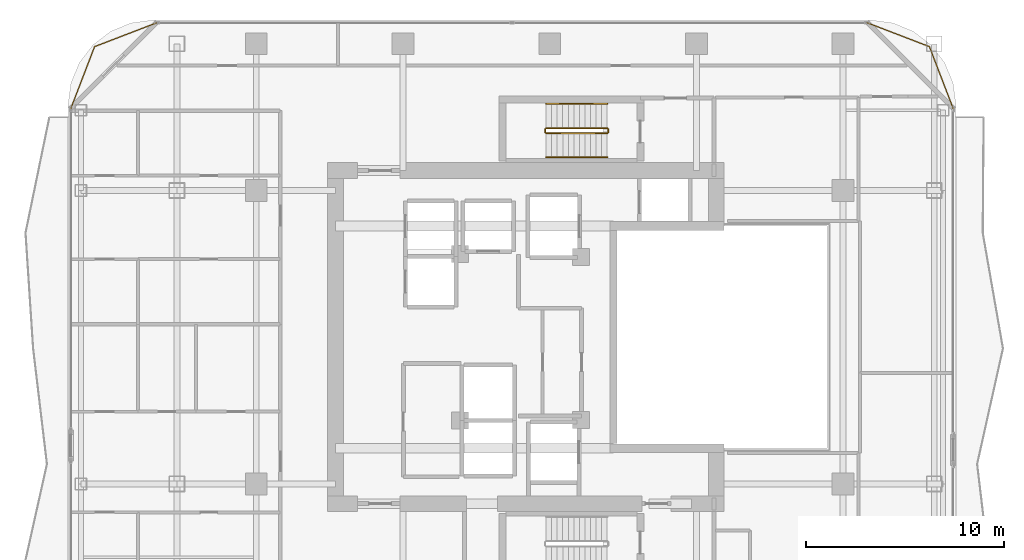
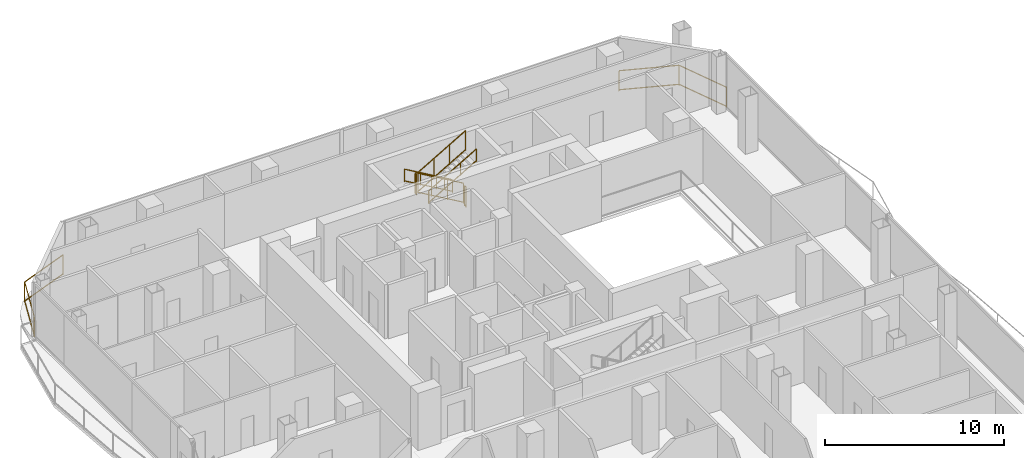
# One storey, part 23 of 23: 8 railings.
"""IFC4 building model written with IfcOpenShell, lengths in metres."""

from ifc_helpers import new_model, si_unit, direction, frame, origin, origin_2d, place, context, subcontext, project, spatial, rectangle, extrude, material, type_object, element, save


model = new_model("IFC4")

# Units and contexts
model_context = context("Model", 3, precision=1e-05, world=origin(), true_north=direction((0.0, 1.0)))
body_context = subcontext(model_context, "Body", "Model", "MODEL_VIEW")
ifc_project = project(units=[si_unit("LENGTHUNIT", "METRE"), si_unit("AREAUNIT", "SQUARE_METRE"), si_unit("VOLUMEUNIT", "CUBIC_METRE"), si_unit("PLANEANGLEUNIT", "RADIAN"), si_unit("MASSUNIT", "GRAM", prefix="KILO")], contexts=[model_context])

# Site, building, storey
site_placement = place(None, origin())
site = spatial("IfcSite", under=ifc_project, at=site_placement, CompositionType="ELEMENT")
building_placement = place(site_placement, origin())
building = spatial("IfcBuilding", under=site, at=building_placement, Name="Khorvyn Point Tower", CompositionType="ELEMENT")
storey_placement = place(building_placement, frame((0.0, 0.0, 199.199951171875)))
storey = spatial("IfcBuildingStorey", under=building, at=storey_placement, Name="L49", CompositionType="ELEMENT", Elevation=199.199951171875)

# Railings
ifc_material_1 = material(Name="Anodised aluminium 6063-T6 and laminated safety glass", Category="aluminium")
railing_type_1 = type_object("IfcRailingType", Name="Laminated Glass and Aluminium Balcony Guardrail 1400", PredefinedType="BALUSTRADE", material=ifc_material_1)
railing_1_placement = place(storey_placement, frame((-19.78125, 15.874267578125, 0.0)))
element("IfcRailing", 1, at=railing_1_placement, inside=storey, type_object=railing_type_1, Name="L49 Rounded Corner Edge Guardrail NW", PredefinedType="BALUSTRADE", context=body_context, shape_type="SweptSolid", body=[
    extrude(rectangle(XDim=0.048095703125, YDim=0.048095703125, at=origin_2d()), frame((0.0, 0.0, 1.3759765625), z_axis=(-0.933589651443, -0.358343916815, 0.0), x_axis=(0.358343916815, -0.933589651443, 0.0)), (0.0, 0.0, 1.0), 3.400390625),
    extrude(rectangle(XDim=0.048095703125, YDim=0.048095703125, at=origin_2d()), frame((0.0, 0.0, 0.080078125), z_axis=(-0.933589651443, -0.358343916815, 0.0), x_axis=(0.358343916815, -0.933589651443, 0.0)), (0.0, 0.0, 1.0), 3.400390625),
    extrude(rectangle(XDim=0.048095703125, YDim=0.048095703125, at=origin_2d()), frame((-3.174560546875, -1.218505859375, 1.3759765625), z_axis=(-0.358343916815, -0.933589651443, 0.0), x_axis=(0.933589651443, -0.358343916815, 0.0)), (0.0, 0.0, 1.0), 3.400390625),
    extrude(rectangle(XDim=0.048095703125, YDim=0.048095703125, at=origin_2d()), frame((-3.174560546875, -1.218505859375, 0.080078125), z_axis=(-0.358343916815, -0.933589651443, 0.0), x_axis=(0.933589651443, -0.358343916815, 0.0)), (0.0, 0.0, 1.0), 3.400390625),
    extrude(rectangle(XDim=0.0419921875, YDim=0.0419921875, at=origin_2d()), origin(), (0.0, 0.0, 1.0), 1.351806640625),
    extrude(rectangle(XDim=0.0419921875, YDim=0.0419921875, at=origin_2d()), frame((-3.174560546875, -1.218505859375, 0.0)), (0.0, 0.0, 1.0), 1.351806640625),
    extrude(rectangle(XDim=0.0419921875, YDim=0.0419921875, at=origin_2d()), frame((-4.39306640625, -4.39306640625, 0.0)), (0.0, 0.0, 1.0), 1.351806640625),
])
railing_2_placement = place(storey_placement, frame((20.374267578125, 11.481201171875, 0.0)))
element("IfcRailing", 2, at=railing_2_placement, inside=storey, type_object=railing_type_1, Name="L49 Rounded Corner Edge Guardrail NE", PredefinedType="BALUSTRADE", context=body_context, shape_type="SweptSolid", body=[
    extrude(rectangle(XDim=0.048095703125, YDim=0.048095703125, at=origin_2d()), frame((0.0, 0.0, 1.3759765625), z_axis=(-0.358343916815, 0.933589651443, 0.0), x_axis=(-0.933589651443, -0.358343916815, 0.0)), (0.0, 0.0, 1.0), 3.400390625),
    extrude(rectangle(XDim=0.048095703125, YDim=0.048095703125, at=origin_2d()), frame((0.0, 0.0, 0.080078125), z_axis=(-0.358343916815, 0.933589651443, 0.0), x_axis=(-0.933589651443, -0.358343916815, 0.0)), (0.0, 0.0, 1.0), 3.400390625),
    extrude(rectangle(XDim=0.048095703125, YDim=0.048095703125, at=origin_2d()), frame((-1.218505859375, 3.174560546875, 1.3759765625), z_axis=(-0.933589651443, 0.358343916815, 0.0), x_axis=(-0.358343916815, -0.933589651443, 0.0)), (0.0, 0.0, 1.0), 3.400390625),
    extrude(rectangle(XDim=0.048095703125, YDim=0.048095703125, at=origin_2d()), frame((-1.218505859375, 3.174560546875, 0.080078125), z_axis=(-0.933589651443, 0.358343916815, 0.0), x_axis=(-0.358343916815, -0.933589651443, 0.0)), (0.0, 0.0, 1.0), 3.400390625),
    extrude(rectangle(XDim=0.0419921875, YDim=0.0419921875, at=origin_2d()), origin(), (0.0, 0.0, 1.0), 1.351806640625),
    extrude(rectangle(XDim=0.0419921875, YDim=0.0419921875, at=origin_2d()), frame((-1.218505859375, 3.174560546875, 0.0)), (0.0, 0.0, 1.0), 1.351806640625),
    extrude(rectangle(XDim=0.0419921875, YDim=0.0419921875, at=origin_2d()), frame((-4.39306640625, 4.39306640625, 0.0)), (0.0, 0.0, 1.0), 1.351806640625),
])
ifc_material_2 = material(Name="Stainless steel 1.4301", Category="steel")
railing_type_2 = type_object("IfcRailingType", Name="Stainless Steel 304 Stair Pitch Handrail 900", PredefinedType="HANDRAIL", material=ifc_material_2)
railing_3_placement = place(storey_placement, frame((2.89990234375, 11.77001953125, 0.16259765625)))
element("IfcRailing", 3, at=railing_3_placement, inside=storey, type_object=railing_type_2, Name="L49 ST-02 stair handrail 1", PredefinedType="HANDRAIL", context=body_context, shape_type="SweptSolid", body=[
    extrude(rectangle(XDim=0.048095703125, YDim=0.048095703125, at=origin_2d()), frame((0.0, 0.0, 0.8759765625), z_axis=(-0.864903211148, 0.0, 0.501938676878), x_axis=(0.0, -1.0, 0.0)), (0.0, 0.0, 1.0), 3.560791015625),
    extrude(rectangle(XDim=0.048095703125, YDim=0.048095703125, at=origin_2d()), frame((0.0, 0.0, 0.080078125), z_axis=(-0.864903211148, 0.0, 0.501938676878), x_axis=(0.0, -1.0, 0.0)), (0.0, 0.0, 1.0), 3.560791015625),
    extrude(rectangle(XDim=0.0419921875, YDim=0.0419921875, at=origin_2d()), origin(), (0.0, 0.0, 1.0), 0.851806640625),
    extrude(rectangle(XDim=0.0419921875, YDim=0.0419921875, at=origin_2d()), frame((-1.026611328125, 0.0, 0.595703125)), (0.0, 0.0, 1.0), 0.851806640625),
    extrude(rectangle(XDim=0.0419921875, YDim=0.0419921875, at=origin_2d()), frame((-2.05322265625, 0.0, 1.191650390625)), (0.0, 0.0, 1.0), 0.851806640625),
    extrude(rectangle(XDim=0.0419921875, YDim=0.0419921875, at=origin_2d()), frame((-3.079833984375, 0.0, 1.787353515625)), (0.0, 0.0, 1.0), 0.851806640625),
])
railing_4_placement = place(storey_placement, frame((-0.179931640625, 9.070068359375, 2.112548828125)))
element("IfcRailing", 4, at=railing_4_placement, inside=storey, type_object=railing_type_2, Name="L49 ST-02 stair handrail 2", PredefinedType="HANDRAIL", context=body_context, shape_type="SweptSolid", body=[
    extrude(rectangle(XDim=0.048095703125, YDim=0.048095703125, at=origin_2d()), frame((0.0, 0.0, 0.8759765625), z_axis=(0.864873446163, 0.0, 0.501989962173), x_axis=(0.0, 1.0, 0.0)), (0.0, 0.0, 1.0), 3.56103515625),
    extrude(rectangle(XDim=0.048095703125, YDim=0.048095703125, at=origin_2d()), frame((0.0, 0.0, 0.080078125), z_axis=(0.864873446163, 0.0, 0.501989962173), x_axis=(0.0, 1.0, 0.0)), (0.0, 0.0, 1.0), 3.56103515625),
    extrude(rectangle(XDim=0.0419921875, YDim=0.0419921875, at=origin_2d()), origin(), (0.0, 0.0, 1.0), 0.851806640625),
    extrude(rectangle(XDim=0.0419921875, YDim=0.0419921875, at=origin_2d()), frame((1.026611328125, 0.0, 0.595947265625)), (0.0, 0.0, 1.0), 0.851806640625),
    extrude(rectangle(XDim=0.0419921875, YDim=0.0419921875, at=origin_2d()), frame((2.05322265625, 0.0, 1.191650390625)), (0.0, 0.0, 1.0), 0.851806640625),
    extrude(rectangle(XDim=0.0419921875, YDim=0.0419921875, at=origin_2d()), frame((3.079833984375, 0.0, 1.78759765625)), (0.0, 0.0, 1.0), 0.851806640625),
])
railing_type_3 = type_object("IfcRailingType", Name="Stainless Steel 304 Stair Well Guardrail 1400", PredefinedType="GUARDRAIL", material=ifc_material_2)
railing_5_placement = place(storey_placement, frame((2.89990234375, 10.550048828125, 0.16259765625)))
element("IfcRailing", 5, at=railing_5_placement, inside=storey, type_object=railing_type_3, Name="L49 ST-02 stair guard 1", PredefinedType="GUARDRAIL", context=body_context, shape_type="SweptSolid", body=[
    extrude(rectangle(XDim=0.048095703125, YDim=0.048095703125, at=origin_2d()), frame((0.0, 0.0, 1.3759765625), z_axis=(-0.864903211148, 0.0, 0.501938676878), x_axis=(0.0, -1.0, 0.0)), (0.0, 0.0, 1.0), 3.560791015625),
    extrude(rectangle(XDim=0.048095703125, YDim=0.048095703125, at=origin_2d()), frame((0.0, 0.0, 0.080078125), z_axis=(-0.864903211148, 0.0, 0.501938676878), x_axis=(0.0, -1.0, 0.0)), (0.0, 0.0, 1.0), 3.560791015625),
    extrude(rectangle(XDim=0.0419921875, YDim=0.0419921875, at=origin_2d()), origin(), (0.0, 0.0, 1.0), 1.351806640625),
    extrude(rectangle(XDim=0.0419921875, YDim=0.0419921875, at=origin_2d()), frame((-1.026611328125, 0.0, 0.595703125)), (0.0, 0.0, 1.0), 1.351806640625),
    extrude(rectangle(XDim=0.0419921875, YDim=0.0419921875, at=origin_2d()), frame((-2.05322265625, 0.0, 1.191650390625)), (0.0, 0.0, 1.0), 1.351806640625),
    extrude(rectangle(XDim=0.0419921875, YDim=0.0419921875, at=origin_2d()), frame((-3.079833984375, 0.0, 1.787353515625)), (0.0, 0.0, 1.0), 1.351806640625),
])
railing_6_placement = place(storey_placement, frame((-0.22998046875, 10.5, 1.949951171875)))
element("IfcRailing", 6, at=railing_6_placement, inside=storey, type_object=railing_type_3, Name="L49 ST-02 stair guard 2", PredefinedType="GUARDRAIL", context=body_context, shape_type="SweptSolid", body=[
    extrude(rectangle(XDim=0.048095703125, YDim=0.048095703125, at=origin_2d()), frame((0.0, 0.0, 1.3759765625), z_axis=(0.0, -1.0, 0.0), x_axis=(1.0, 0.0, 0.0)), (0.0, 0.0, 1.0), 0.159912109375),
    extrude(rectangle(XDim=0.048095703125, YDim=0.048095703125, at=origin_2d()), frame((0.0, 0.0, 0.080078125), z_axis=(0.0, -1.0, 0.0), x_axis=(1.0, 0.0, 0.0)), (0.0, 0.0, 1.0), 0.159912109375),
    extrude(rectangle(XDim=0.0419921875, YDim=0.0419921875, at=origin_2d()), origin(), (0.0, 0.0, 1.0), 1.351806640625),
    extrude(rectangle(XDim=0.0419921875, YDim=0.0419921875, at=origin_2d()), frame((0.0, -0.159912109375, 0.0)), (0.0, 0.0, 1.0), 1.351806640625),
])
railing_7_placement = place(storey_placement, frame((-0.179931640625, 10.2900390625, 2.112548828125)))
element("IfcRailing", 7, at=railing_7_placement, inside=storey, type_object=railing_type_3, Name="L49 ST-02 stair guard 3", PredefinedType="GUARDRAIL", context=body_context, shape_type="SweptSolid", body=[
    extrude(rectangle(XDim=0.048095703125, YDim=0.048095703125, at=origin_2d()), frame((0.0, 0.0, 1.3759765625), z_axis=(0.864873446163, 0.0, 0.501989962173), x_axis=(0.0, 1.0, 0.0)), (0.0, 0.0, 1.0), 3.56103515625),
    extrude(rectangle(XDim=0.048095703125, YDim=0.048095703125, at=origin_2d()), frame((0.0, 0.0, 0.080078125), z_axis=(0.864873446163, 0.0, 0.501989962173), x_axis=(0.0, 1.0, 0.0)), (0.0, 0.0, 1.0), 3.56103515625),
    extrude(rectangle(XDim=0.0419921875, YDim=0.0419921875, at=origin_2d()), origin(), (0.0, 0.0, 1.0), 1.351806640625),
    extrude(rectangle(XDim=0.0419921875, YDim=0.0419921875, at=origin_2d()), frame((1.026611328125, 0.0, 0.595947265625)), (0.0, 0.0, 1.0), 1.351806640625),
    extrude(rectangle(XDim=0.0419921875, YDim=0.0419921875, at=origin_2d()), frame((2.05322265625, 0.0, 1.191650390625)), (0.0, 0.0, 1.0), 1.351806640625),
    extrude(rectangle(XDim=0.0419921875, YDim=0.0419921875, at=origin_2d()), frame((3.079833984375, 0.0, 1.78759765625)), (0.0, 0.0, 1.0), 1.351806640625),
])
railing_8_placement = place(storey_placement, frame((2.949951171875, 10.5, 0.0)))
element("IfcRailing", 8, at=railing_8_placement, inside=storey, type_object=railing_type_3, Name="L49 ST-02 stair guard 4", PredefinedType="GUARDRAIL", context=body_context, shape_type="SweptSolid", body=[
    extrude(rectangle(XDim=0.048095703125, YDim=0.048095703125, at=origin_2d()), frame((0.0, 0.0, 1.3759765625), z_axis=(0.0, -1.0, 0.0), x_axis=(1.0, 0.0, 0.0)), (0.0, 0.0, 1.0), 0.159912109375),
    extrude(rectangle(XDim=0.048095703125, YDim=0.048095703125, at=origin_2d()), frame((0.0, 0.0, 0.080078125), z_axis=(0.0, -1.0, 0.0), x_axis=(1.0, 0.0, 0.0)), (0.0, 0.0, 1.0), 0.159912109375),
    extrude(rectangle(XDim=0.0419921875, YDim=0.0419921875, at=origin_2d()), origin(), (0.0, 0.0, 1.0), 1.351806640625),
    extrude(rectangle(XDim=0.0419921875, YDim=0.0419921875, at=origin_2d()), frame((0.0, -0.159912109375, 0.0)), (0.0, 0.0, 1.0), 1.351806640625),
])

save(model, "model.ifc")
